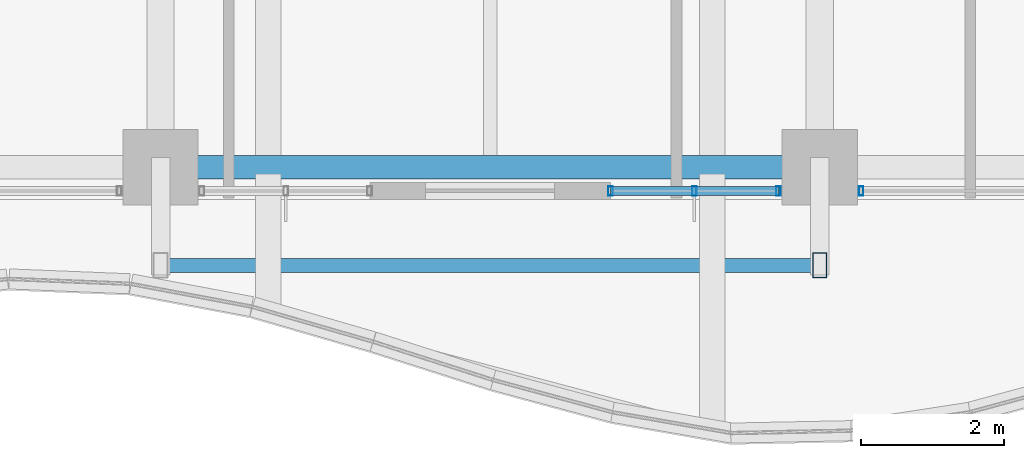
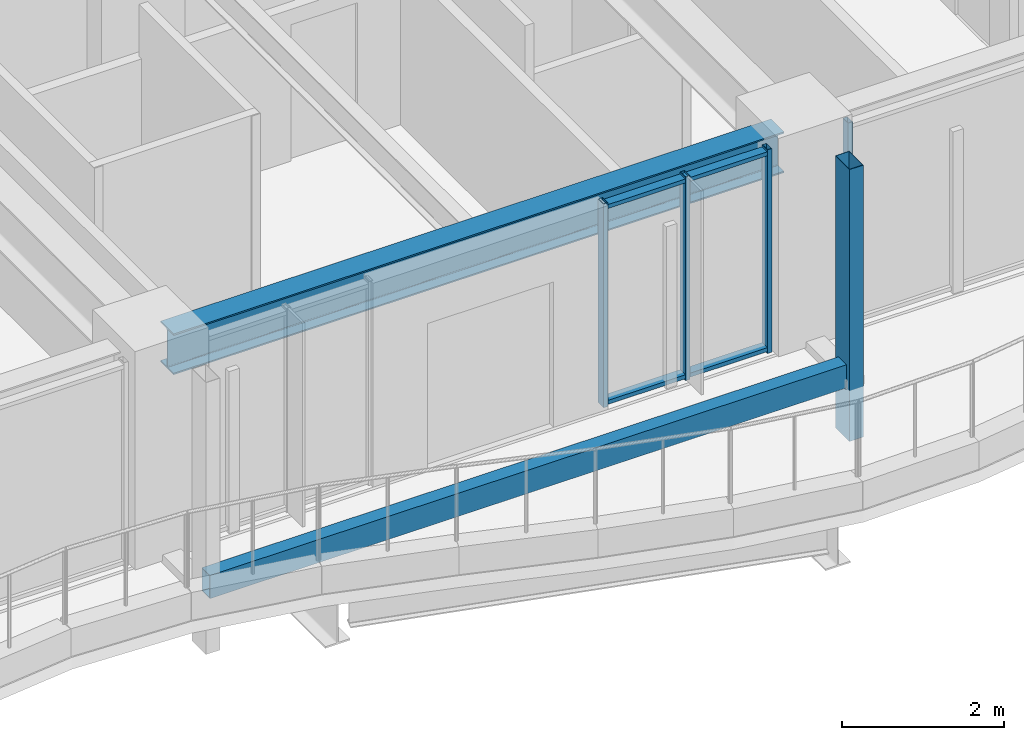
# One storey, part 5 of 34: 8 members, 1 beam, 2 elements without a shape of their own.
"""IFC4 building model written with IfcOpenShell, lengths in metres."""

from ifc_helpers import new_model, si_unit, direction, frame, origin, origin_2d, place, context, subcontext, project, spatial, hollow_rectangle, i_section, extrude, material, material_profile, profile_set, type_object, element, aggregate, save


model = new_model("IFC4")

# Units and contexts
model_context = context("Model", 3, precision=1e-05, world=origin(), true_north=direction((0.0, 1.0)))
body_context = subcontext(model_context, "Body", "Model", "MODEL_VIEW")
ifc_project = project(units=[si_unit("LENGTHUNIT", "METRE"), si_unit("AREAUNIT", "SQUARE_METRE"), si_unit("VOLUMEUNIT", "CUBIC_METRE"), si_unit("PLANEANGLEUNIT", "RADIAN"), si_unit("MASSUNIT", "GRAM", prefix="KILO")], contexts=[model_context])

# Site, building, storey
site_placement = place(None, origin())
site = spatial("IfcSite", under=ifc_project, at=site_placement, CompositionType="ELEMENT")
building_placement = place(site_placement, origin())
building = spatial("IfcBuilding", under=site, at=building_placement, Name="Kolvaren Belvedere", CompositionType="ELEMENT")
storey_placement = place(building_placement, frame((0.0, 0.0, 111.800048828125)))
storey = spatial("IfcBuildingStorey", under=building, at=storey_placement, Name="L32", CompositionType="ELEMENT", Elevation=111.800048828125)

# Beam
ifc_material_1 = material(Name="Structural steel ASTM A992 Grade 50", Category="steel")
ifc_material_profile_1 = material_profile(ifc_material_1, i_section(OverallWidth=0.324951171875, OverallDepth=0.615966796875, WebThickness=0.013916015625, FlangeThickness=0.021484375, FilletRadius=0.02001953125, at=origin_2d()), Name="W24X117")
ifc_profile_set_1 = profile_set([ifc_material_profile_1], Name="Structural steel ASTM A992 Grade 50")
beam_type = type_object("IfcBeamType", Name="BM-SPAN-W24X117", PredefinedType="SPANDREL", material=ifc_profile_set_1)
beam_placement = place(storey_placement, frame((-4.36376953125, -18.64990234375, 2.77197265625), z_axis=(1.0, 0.0, 0.0), x_axis=(0.0, 1.0, 0.0)))
element("IfcBeam", 1, at=beam_placement, inside=storey, type_object=beam_type, Name="L32 Perimeter Spandrel S2-S3", PredefinedType="SPANDREL", context=body_context, shape_type="SweptSolid", body=[
    extrude(i_section(OverallWidth=0.324951171875, OverallDepth=0.615966796875, WebThickness=0.013916015625, FlangeThickness=0.021484375, FilletRadius=0.02001953125, at=origin_2d()), origin(), (0.0, 0.0, 1.0), 8.7275390625),
])

# Curtain wall, member
ifc_material_2 = material(Name="Anodised pale-metal aluminium AA 6063-T6", Category="aluminium")
curtain_wall_type = type_object("IfcCurtainWallType", Name="CW-Z3-WAIST", PredefinedType="NOTDEFINED", material=ifc_material_2)
curtain_wall_1_placement = place(storey_placement, origin())
curtain_wall_1 = element("IfcCurtainWall", 2, at=curtain_wall_1_placement, inside=storey, type_object=curtain_wall_type, Name="L32 Unitised Curtain Wall FCW-L32-S1-B1", PredefinedType="NOTDEFINED")
ifc_material_3 = material(Name="Anodised pale-metal aluminium AA 6063-T6", Category="aluminium")
ifc_material_profile_2 = material_profile(ifc_material_3, hollow_rectangle(XDim=0.06494140625, YDim=0.1298828125, WallThickness=0.00390625, at=origin_2d()), Name="ALU-MUL-130X65")
ifc_profile_set_2 = profile_set([ifc_material_profile_2], Name="Anodised pale-metal aluminium AA 6063-T6")
member_type_1 = type_object("IfcMemberType", Name="CW-MUL-130", PredefinedType="MULLION", material=ifc_profile_set_2)
member_1_placement = place(storey_placement, frame((5.177490234375, -18.97998046875, 0.0), z_axis=(0.0, 0.0, 1.0), x_axis=(1.0, 0.0, 0.0)))
member_1 = element("IfcMember", 3, at=member_1_placement, type_object=member_type_1, Name="FCW-L32-S1-B1 Unitised Mullion 3", PredefinedType="MULLION", context=body_context, shape_type="SweptSolid", body=[
    extrude(hollow_rectangle(XDim=0.06494140625, YDim=0.1298828125, WallThickness=0.00390625, at=origin_2d()), origin(), (0.0, 0.0, 1.0), 3.079833984375),
])
aggregate(curtain_wall_1, [member_1])

# Curtain wall, members
curtain_wall_2_placement = place(storey_placement, origin())
curtain_wall_2 = element("IfcCurtainWall", 4, at=curtain_wall_2_placement, inside=storey, type_object=curtain_wall_type, Name="L32 Unitised Curtain Wall FCW-L32-S1-B2", PredefinedType="NOTDEFINED")
member_2_placement = place(storey_placement, frame((4.0224609375, -18.97998046875, 0.0), z_axis=(0.0, 0.0, 1.0), x_axis=(1.0, 0.0, 0.0)))
member_2 = element("IfcMember", 5, at=member_2_placement, type_object=member_type_1, Name="FCW-L32-S1-B2 Unitised Mullion 1", PredefinedType="MULLION", context=body_context, shape_type="SweptSolid", body=[
    extrude(hollow_rectangle(XDim=0.06494140625, YDim=0.1298828125, WallThickness=0.00390625, at=origin_2d()), origin(), (0.0, 0.0, 1.0), 3.079833984375),
])
member_3_placement = place(storey_placement, frame((2.851318359375, -18.97998046875, 0.0), z_axis=(0.0, 0.0, 1.0), x_axis=(1.0, 0.0, 0.0)))
member_3 = element("IfcMember", 6, at=member_3_placement, type_object=member_type_1, Name="FCW-L32-S1-B2 Unitised Mullion 2", PredefinedType="MULLION", context=body_context, shape_type="SweptSolid", body=[
    extrude(hollow_rectangle(XDim=0.06494140625, YDim=0.1298828125, WallThickness=0.00390625, at=origin_2d()), origin(), (0.0, 0.0, 1.0), 3.079833984375),
])
member_4_placement = place(storey_placement, frame((1.679931640625, -18.97998046875, 0.0), z_axis=(0.0, 0.0, 1.0), x_axis=(1.0, 0.0, 0.0)))
member_4 = element("IfcMember", 7, at=member_4_placement, type_object=member_type_1, Name="FCW-L32-S1-B2 Unitised Mullion 3", PredefinedType="MULLION", context=body_context, shape_type="SweptSolid", body=[
    extrude(hollow_rectangle(XDim=0.06494140625, YDim=0.1298828125, WallThickness=0.00390625, at=origin_2d()), origin(), (0.0, 0.0, 1.0), 3.079833984375),
])
ifc_material_4 = material(Name="Anodised pale-metal aluminium AA 6063-T6", Category="aluminium")
ifc_material_profile_3 = material_profile(ifc_material_4, hollow_rectangle(XDim=0.06005859375, YDim=0.1298828125, WallThickness=0.00390625, at=origin_2d()), Name="ALU-TRN-130X60")
ifc_profile_set_3 = profile_set([ifc_material_profile_3], Name="Anodised pale-metal aluminium AA 6063-T6")
member_type_2 = type_object("IfcMemberType", Name="CW-TRN-130", PredefinedType="USERDEFINED", material=ifc_profile_set_3)
member_5_placement = place(storey_placement, frame((4.0224609375, -18.97998046875, 0.06005859375), z_axis=(-1.0, 0.0, 0.0), x_axis=(0.0, 0.0, 1.0)))
member_5 = element("IfcMember", 8, at=member_5_placement, type_object=member_type_2, Name="FCW-L32-S1-B2 Sill Transom", ObjectType="TRANSOM", PredefinedType="USERDEFINED", context=body_context, shape_type="SweptSolid", body=[
    extrude(hollow_rectangle(XDim=0.06005859375, YDim=0.1298828125, WallThickness=0.00390625, at=origin_2d()), origin(), (0.0, 0.0, 1.0), 2.342529296875),
])
member_6_placement = place(storey_placement, frame((4.0224609375, -18.97998046875, 3.02001953125), z_axis=(-1.0, 0.0, 0.0), x_axis=(0.0, 0.0, 1.0)))
member_6 = element("IfcMember", 9, at=member_6_placement, type_object=member_type_2, Name="FCW-L32-S1-B2 Head Transom", ObjectType="TRANSOM", PredefinedType="USERDEFINED", context=body_context, shape_type="SweptSolid", body=[
    extrude(hollow_rectangle(XDim=0.06005859375, YDim=0.1298828125, WallThickness=0.00390625, at=origin_2d()), origin(), (0.0, 0.0, 1.0), 2.342529296875),
])
aggregate(curtain_wall_2, [member_2, member_3, member_4, member_5, member_6])

# Members
ifc_material_5 = material(Name="Anodised pale-metal aluminium AA 6063-T6", Category="aluminium")
ifc_material_profile_4 = material_profile(ifc_material_5, hollow_rectangle(XDim=0.199951171875, YDim=0.35009765625, WallThickness=0.007568359375, at=origin_2d()), Name="ALU-PF-350X200")
ifc_profile_set_4 = profile_set([ifc_material_profile_4], Name="Anodised pale-metal aluminium AA 6063-T6")
member_type_3 = type_object("IfcMemberType", Name="PF-FRAME-350", PredefinedType="USERDEFINED", material=ifc_profile_set_4)
member_7_placement = place(storey_placement, frame((4.60009765625, -20.02001953125, -0.81005859375), z_axis=(0.0, 0.0, 1.0), x_axis=(1.0, 0.0, 0.0)))
element("IfcMember", 10, at=member_7_placement, inside=storey, type_object=member_type_3, Name="L32 Outboard Picture-Frame Vertical S1", ObjectType="PICTURE FRAME FIN", PredefinedType="USERDEFINED", context=body_context, shape_type="SweptSolid", body=[
    extrude(hollow_rectangle(XDim=0.199951171875, YDim=0.35009765625, WallThickness=0.007568359375, at=origin_2d()), origin(), (0.0, 0.0, 1.0), 4.110107421875),
])
member_8_placement = place(storey_placement, frame((4.60009765625, -20.02001953125, 0.1298828125), z_axis=(-1.0, 0.0, 0.0), x_axis=(0.0, -1.0, 0.0)))
element("IfcMember", 11, at=member_8_placement, inside=storey, type_object=member_type_3, Name="L32 Outboard Picture-Frame Sill S", ObjectType="PICTURE FRAME FIN", PredefinedType="USERDEFINED", context=body_context, shape_type="SweptSolid", body=[
    extrude(hollow_rectangle(XDim=0.199951171875, YDim=0.35009765625, WallThickness=0.007568359375, at=origin_2d()), origin(), (0.0, 0.0, 1.0), 9.2001953125),
])

save(model, "model.ifc")
